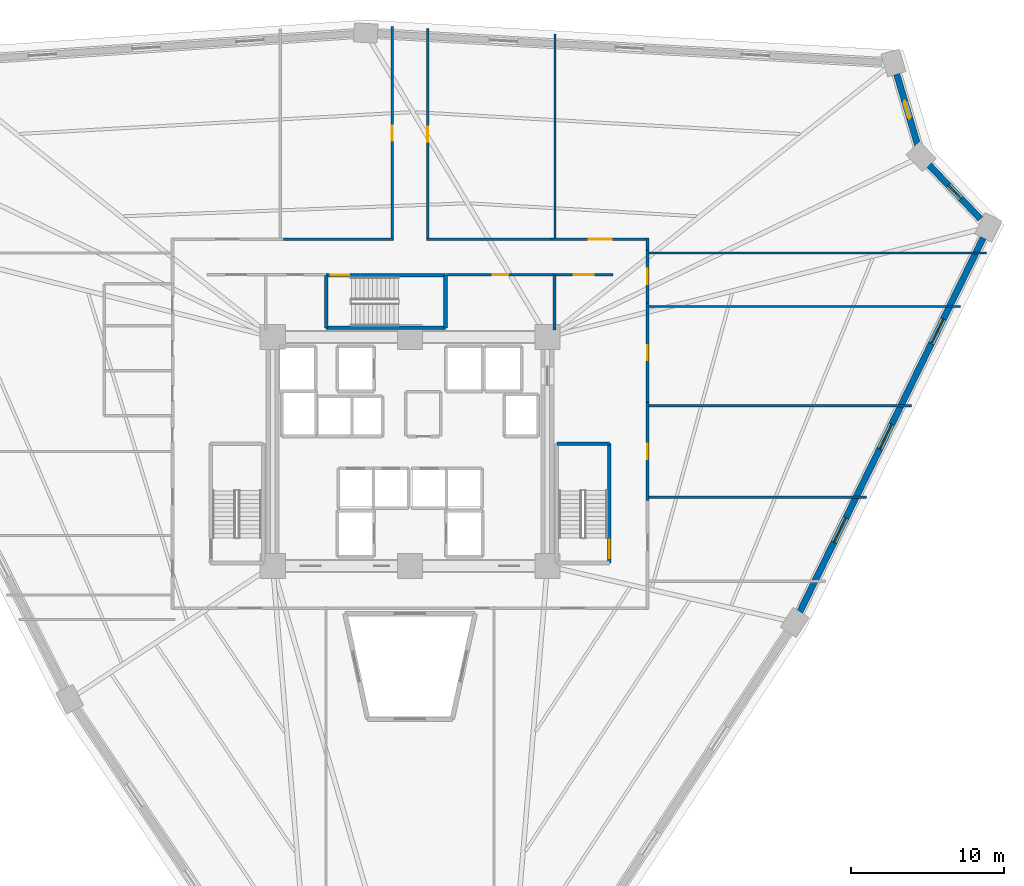
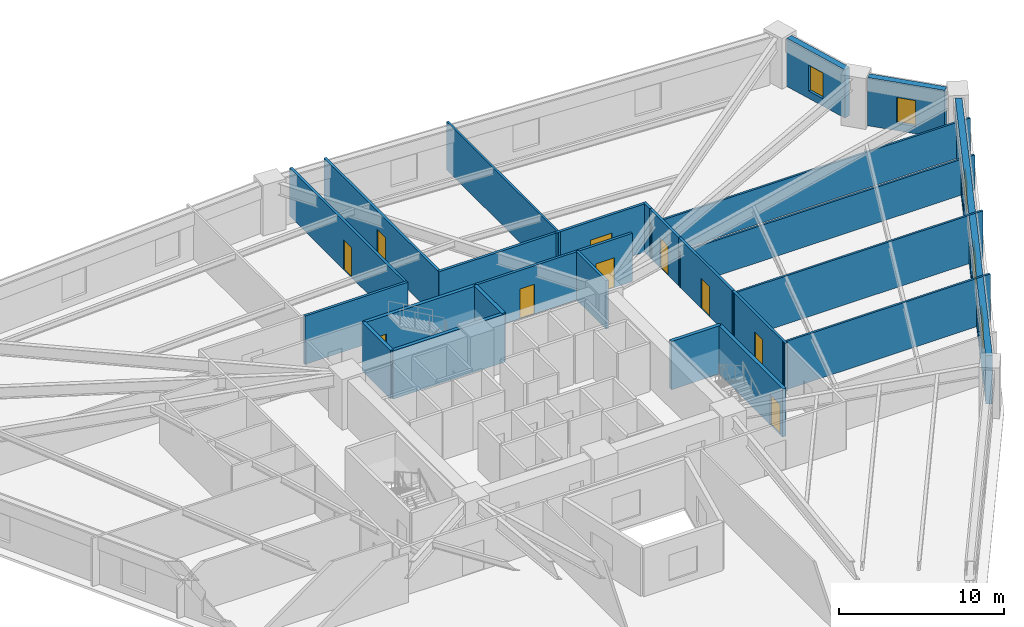
# One storey, part 6 of 8: 26 walls, 10 doors, 5 windows, 15 openings.
"""IFC4 building model written with IfcOpenShell, lengths in metres."""

import ifcopenshell
import ifcopenshell.guid

model = None  # the IFC model being written
_history = None  # IfcOwnerHistory: only IFC2X3 demands one
_inside = {}  # id of a spatial element -> (the spatial element, [elements in it])
_under = {}  # id of a project, library or spatial element -> (it, [spatial elements below it])
_declared = {}  # id of a project -> (the project, [libraries it declares])
_typed = {}  # id of a type object -> (the type object, [elements of that type])
_made_of = {}  # id of a material, layer set ... -> (it, [elements and type objects made of it])


def new_model(schema):
    """Start an empty IFC model of exactly this schema.

    Asked for "IFC4X3", IfcOpenShell would pick the latest addendum, in which some entities
    have other attributes; the version numbers below select the first issue.
    IFC2X3 requires an IfcOwnerHistory on every rooted entity: one is made here for all.
    """
    global model, _history
    if schema == "IFC4X3":
        model = ifcopenshell.file(schema_version=(4, 3, 0, 0))
    else:
        model = ifcopenshell.file(schema=schema)
    _inside.clear()
    _under.clear()
    _declared.clear()
    _typed.clear()
    _made_of.clear()
    _history = None
    if model.schema == "IFC2X3":
        org = make("IfcOrganization", Name="unknown")
        user = make(
            "IfcPersonAndOrganization",
            ThePerson=make("IfcPerson", FamilyName="unknown"),
            TheOrganization=org,
        )
        app = make(
            "IfcApplication",
            ApplicationDeveloper=org,
            Version="unknown",
            ApplicationFullName="unknown",
            ApplicationIdentifier="unknown",
        )
        _history = make(
            "IfcOwnerHistory",
            OwningUser=user,
            OwningApplication=app,
            ChangeAction="ADDED",
            CreationDate=0,
        )
    return model


def make(cls, **values):
    """One entity of the class cls with the attributes given. An attribute that is None is left unset."""
    return model.create_entity(
        cls, **{name: value for name, value in values.items() if value is not None}
    )


def rooted(cls, **values):
    """An entity with a GlobalId (a new one), such as an element, a storey or a relation."""
    return make(cls, GlobalId=ifcopenshell.guid.new(), OwnerHistory=_history, **values)


def si_unit(unit_type, name, prefix=None):
    """IfcSIUnit, for example si_unit("LENGTHUNIT", "METRE", prefix="MILLI")."""
    return make("IfcSIUnit", UnitType=unit_type, Prefix=prefix, Name=name)


def assignment(units):
    """IfcUnitAssignment: the units of a project."""
    return None if units is None else make("IfcUnitAssignment", Units=units)


def point(xyz):
    """IfcCartesianPoint."""
    return None if xyz is None else make("IfcCartesianPoint", Coordinates=xyz)


def direction(xyz):
    """IfcDirection."""
    return None if xyz is None else make("IfcDirection", DirectionRatios=xyz)


def frame(location, z_axis=None, x_axis=None):
    """IfcAxis2Placement3D, a coordinate frame: its origin and axes. An axis left out is left unset."""
    return make(
        "IfcAxis2Placement3D",
        Location=point(location),
        Axis=direction(z_axis),
        RefDirection=direction(x_axis),
    )


def frame_2d(location, x_axis=None):
    """IfcAxis2Placement2D, a coordinate frame in the plane: its origin and x axis."""
    return make(
        "IfcAxis2Placement2D", Location=point(location), RefDirection=direction(x_axis)
    )


def origin():
    """The frame at (0, 0, 0) with its axes left unset."""
    return frame((0.0, 0.0, 0.0))


def place(relative_to, where):
    """IfcLocalPlacement: puts the frame where relative to a parent placement (None: the world)."""
    return make(
        "IfcLocalPlacement", PlacementRelTo=relative_to, RelativePlacement=where
    )


def context(
    kind, dimensions, precision=None, world=None, true_north=None, identifier=None
):
    """IfcGeometricRepresentationContext, for example the 3D "Model" context."""
    return make(
        "IfcGeometricRepresentationContext",
        ContextIdentifier=identifier,
        ContextType=kind,
        CoordinateSpaceDimension=dimensions,
        Precision=precision,
        WorldCoordinateSystem=world,
        TrueNorth=true_north,
    )


def subcontext(parent, identifier, kind, view, scale=None):
    """IfcGeometricRepresentationSubContext, for example "Body" below "Model"."""
    return make(
        "IfcGeometricRepresentationSubContext",
        ContextIdentifier=identifier,
        ContextType=kind,
        ParentContext=parent,
        TargetScale=scale,
        TargetView=view,
    )


def project(units=None, contexts=None):
    """IfcProject with its units and contexts."""
    return rooted(
        "IfcProject",
        Name="project",
        RepresentationContexts=contexts,
        UnitsInContext=assignment(units),
    )


def spatial(cls, under=None, at=None, **own):
    """A site, building, storey or space (cls), placed at a placement, below another one or the project."""
    s = rooted(cls, ObjectPlacement=at, **own)
    if under is not None:
        _under.setdefault(under.id(), (under, []))[1].append(s)
    return s


def profile(cls, at=None, kind="AREA", **sizes):
    """A parametric profile (cls). Its sizes go by their IFC names, for example OverallWidth=200.0."""
    return make(cls, ProfileType=kind, Position=at, **sizes)


def rectangle(**sizes):
    """IfcRectangleProfileDef."""
    return profile("IfcRectangleProfileDef", **sizes)


def extrude(swept, where, along, depth):
    """IfcExtrudedAreaSolid: the profile swept, set in the frame where, extruded along a direction by depth."""
    return make(
        "IfcExtrudedAreaSolid",
        SweptArea=swept,
        Position=where,
        ExtrudedDirection=direction(along),
        Depth=depth,
    )


def shape(context_of_items, identifier, shape_type, items):
    """IfcShapeRepresentation: the items that make up one representation, for example the "Body"."""
    return make(
        "IfcShapeRepresentation",
        ContextOfItems=context_of_items,
        RepresentationIdentifier=identifier,
        RepresentationType=shape_type,
        Items=items,
    )


def source(mapping_origin, context_of_items, identifier, shape_type, items):
    """IfcRepresentationMap: a shape defined once, which mapped items show again and again."""
    return make(
        "IfcRepresentationMap",
        MappingOrigin=mapping_origin,
        MappedRepresentation=shape(context_of_items, identifier, shape_type, items),
    )


def transform(
    local_origin,
    x_axis=None,
    y_axis=None,
    z_axis=None,
    scale=None,
    scale2=None,
    scale3=None,
    uniform=True,
):
    """IfcCartesianTransformationOperator3D, or its non-uniform kind. x_axis, y_axis, z_axis: its Axis1, 2, 3."""
    if uniform:
        return make(
            "IfcCartesianTransformationOperator3D",
            Axis1=direction(x_axis),
            Axis2=direction(y_axis),
            LocalOrigin=point(local_origin),
            Scale=scale,
            Axis3=direction(z_axis),
        )
    return make(
        "IfcCartesianTransformationOperator3DnonUniform",
        Axis1=direction(x_axis),
        Axis2=direction(y_axis),
        LocalOrigin=point(local_origin),
        Scale=scale,
        Axis3=direction(z_axis),
        Scale2=scale2,
        Scale3=scale3,
    )


def mapped(mapping_source, mapping_target):
    """IfcMappedItem: shows the shape of a source again, moved by a transform."""
    return make(
        "IfcMappedItem", MappingSource=mapping_source, MappingTarget=mapping_target
    )


def material(Name=None, Category=None):
    """IfcMaterial."""
    return make("IfcMaterial", Name=Name, Category=Category)


def layer(
    of_material, thickness, ventilated=None, Name=None, Category=None, Priority=None
):
    """IfcMaterialLayer: one layer of a wall or slab, of a material (None: an air gap)."""
    return make(
        "IfcMaterialLayer",
        Material=of_material,
        LayerThickness=thickness,
        IsVentilated=ventilated,
        Name=Name,
        Category=Category,
        Priority=Priority,
    )


def layer_set(layers, Name=None):
    """IfcMaterialLayerSet."""
    return make("IfcMaterialLayerSet", MaterialLayers=layers, LayerSetName=Name)


def made_of(thing, what):
    """Note that an element or type object is made of a material, layer set ...; save() writes the relation."""
    if what is not None:
        _made_of.setdefault(what.id(), (what, []))[1].append(thing)
    return thing


def type_object(cls, material=None, **own):
    """A type object (cls), such as IfcWallType, which elements share."""
    return made_of(rooted(cls, **own), material)


def element(
    cls,
    number,
    at=None,
    inside=None,
    cuts=None,
    type_object=None,
    material=None,
    context=None,
    identifier="Body",
    shape_type=None,
    held_by="IfcProductDefinitionShape",
    body=None,
    shapes=None,
    **own,
):
    """One element of the class cls, such as IfcWall. Its Tag is "e" and its number.

    at: its placement. inside: the storey or other place that contains it. cuts: it is an
    opening in that element (IfcRelVoidsElement). A single representation is given by context,
    identifier, shape_type and body (its items); several are given by shapes. held_by: the class
    of the entity that holds the representations. save() writes the other relations.
    """
    e = rooted(cls, Tag="e%d" % number, ObjectPlacement=at, **own)
    if body is not None:
        shapes = [shape(context, identifier, shape_type, body)]
    if shapes is not None:
        e.Representation = make(held_by, Representations=shapes)
    if inside is not None:
        _inside.setdefault(inside.id(), (inside, []))[1].append(e)
    if cuts is not None:
        rooted(
            "IfcRelVoidsElement", RelatingBuildingElement=cuts, RelatedOpeningElement=e
        )
    if type_object is not None:
        _typed.setdefault(type_object.id(), (type_object, []))[1].append(e)
    return made_of(e, material)


def fill(opening, filler):
    """IfcRelFillsElement: the door or window that sits in an opening."""
    return rooted(
        "IfcRelFillsElement",
        RelatingOpeningElement=opening,
        RelatedBuildingElement=filler,
    )


def aggregate(whole, parts):
    """IfcRelAggregates: a whole, such as a stair, and the parts it consists of."""
    return rooted("IfcRelAggregates", RelatingObject=whole, RelatedObjects=parts)


def save(model, path):
    """Write the relations noted so far, then the file.

    IfcRelAggregates (storeys below a building ...), IfcRelContainedInSpatialStructure (elements
    in a storey), IfcRelDefinesByType, IfcRelAssociatesMaterial and IfcRelDeclares: one each for
    every whole, place, type object, material and project.
    """
    for whole, parts in _under.values():
        aggregate(whole, parts)
    for where, things in _inside.values():
        rooted(
            "IfcRelContainedInSpatialStructure",
            RelatedElements=things,
            RelatingStructure=where,
        )
    for kind, things in _typed.values():
        rooted("IfcRelDefinesByType", RelatedObjects=things, RelatingType=kind)
    for what, things in _made_of.values():
        rooted("IfcRelAssociatesMaterial", RelatedObjects=things, RelatingMaterial=what)
    for by, libraries in _declared.values():
        rooted("IfcRelDeclares", RelatingContext=by, RelatedDefinitions=libraries)
    model.write(path)


model = new_model("IFC4")

# Units and contexts
model_context = context("Model", 3, precision=1e-05, world=origin(), true_north=direction((0.0, 1.0)))
body_context = subcontext(model_context, "Body", "Model", "MODEL_VIEW")
ifc_project = project(units=[si_unit("LENGTHUNIT", "METRE"), si_unit("AREAUNIT", "SQUARE_METRE"), si_unit("VOLUMEUNIT", "CUBIC_METRE"), si_unit("PLANEANGLEUNIT", "RADIAN"), si_unit("MASSUNIT", "GRAM", prefix="KILO")], contexts=[model_context])

# Site, building, storey
site_placement = place(None, origin())
site = spatial("IfcSite", under=ifc_project, at=site_placement, CompositionType="ELEMENT")
building_placement = place(site_placement, origin())
building = spatial("IfcBuilding", under=site, at=building_placement, Name="Liaohun Quay Tower", CompositionType="ELEMENT")
storey_placement = place(building_placement, frame((0.0, 0.0, 78.0)))
storey = spatial("IfcBuildingStorey", under=building, at=storey_placement, Name="L20", CompositionType="ELEMENT", Elevation=78.0)

# Wall, openings, windows
ifc_material_1 = material(Name="Precast concrete C50 insulated sandwich", Category="concrete")
ifc_layer_1 = layer(ifc_material_1, 0.419921875, Name="Precast concrete C50 insulated sandwich", Category="concrete")
ifc_layer_set_1 = layer_set([ifc_layer_1], Name="Precast concrete C50 insulated sandwich")
wall_type_1 = type_object("IfcWallType", Name="WAL-EXT-Z12", PredefinedType="SOLIDWALL", material=ifc_layer_set_1)
wall_1_placement = place(storey_placement, frame((85.532958984375, 43.492919921875, 0.0), z_axis=(0.0, 0.0, 1.0), x_axis=(0.440255770672, 0.897872405406, 0.0)))
wall_1 = element("IfcWall", 1, at=wall_1_placement, inside=storey, type_object=wall_type_1, Name="L20 Brutalist Precast Pier Wall 03", PredefinedType="SOLIDWALL", context=body_context, shape_type="SweptSolid", body=[
    extrude(rectangle(XDim=27.295654296875, YDim=0.419921875, at=frame_2d((13.64794921875, 0.0))), origin(), (0.0, 0.0, 1.0), 3.570068359375),
])
shared_shape_1 = source(origin(), body_context, "Body", "SweptSolid", [
    extrude(rectangle(XDim=1.800048828125, YDim=1.949951171875, at=frame_2d((0.89990234375, 0.97509765625))), frame((0.0, 0.219970703125, 0.0), z_axis=(0.0, -1.0, 0.0), x_axis=(1.0, 0.0, 0.0)), (0.0, 0.0, 1.0), 0.43994140625),
])
opening_1_placement = place(wall_1_placement, frame((5.073974609375, 0.0, 0.550048828125)))
opening_1 = element("IfcOpeningElement", 2, at=opening_1_placement, cuts=wall_1, Name="Opening W01", PredefinedType="OPENING", context=body_context, shape_type="MappedRepresentation", body=[
    mapped(shared_shape_1, transform((0.0, 0.0, 0.0), x_axis=(1.0, 0.0, 0.0), y_axis=(0.0, 1.0, 0.0), z_axis=(0.0, 0.0, 1.0), scale=1.0)),
])
opening_2_placement = place(wall_1_placement, frame((11.89794921875, 0.0, 0.550048828125)))
opening_2 = element("IfcOpeningElement", 3, at=opening_2_placement, cuts=wall_1, Name="Opening W01", PredefinedType="OPENING", context=body_context, shape_type="MappedRepresentation", body=[
    mapped(shared_shape_1, transform((0.0, 0.0, 0.0), x_axis=(1.0, 0.0, 0.0), y_axis=(0.0, 1.0, 0.0), z_axis=(0.0, 0.0, 1.0), scale=1.0)),
])
opening_3_placement = place(wall_1_placement, frame((19.572021484375, 0.0, 0.550048828125)))
opening_3 = element("IfcOpeningElement", 4, at=opening_3_placement, cuts=wall_1, Name="Opening W01", PredefinedType="OPENING", context=body_context, shape_type="MappedRepresentation", body=[
    mapped(shared_shape_1, transform((0.0, 0.0, 0.0), x_axis=(1.0, 0.0, 0.0), y_axis=(0.0, 1.0, 0.0), z_axis=(0.0, 0.0, 1.0), scale=1.0)),
])
ifc_material_2 = material(Name="Triple Low-E argon glazing in thermally broken aluminium", Category="aluminium")
window_type_1 = type_object("IfcWindowType", Name="WIN-PUN-Z1", PartitioningType="DOUBLE_PANEL_VERTICAL", PredefinedType="WINDOW", material=ifc_material_2)
shared_shape_2 = source(origin(), body_context, "Body", "SweptSolid", [
    extrude(rectangle(XDim=1.800048828125, YDim=1.949951171875, at=frame_2d((0.89990234375, 0.97509765625))), frame((0.0, 0.030029296875, 0.0), z_axis=(0.0, -1.0, 0.0), x_axis=(1.0, 0.0, 0.0)), (0.0, 0.0, 1.0), 0.06005859375),
])
window_1_placement = place(opening_1_placement, origin())
window_1 = element("IfcWindow", 5, at=window_1_placement, inside=storey, type_object=window_type_1, Name="L20 Recessed Cold-Climate Punched Window 03-1", OverallHeight=1.949951171875, OverallWidth=1.800048828125, PartitioningType="DOUBLE_PANEL_VERTICAL", PredefinedType="WINDOW", context=body_context, shape_type="MappedRepresentation", body=[
    mapped(shared_shape_2, transform((0.0, 0.0, 0.0), x_axis=(1.0, 0.0, 0.0), y_axis=(0.0, 1.0, 0.0), z_axis=(0.0, 0.0, 1.0), scale=1.0)),
])
fill(opening_1, window_1)
window_2_placement = place(opening_2_placement, origin())
window_2 = element("IfcWindow", 6, at=window_2_placement, inside=storey, type_object=window_type_1, Name="L20 Recessed Cold-Climate Punched Window 03-2", OverallHeight=1.949951171875, OverallWidth=1.800048828125, PartitioningType="DOUBLE_PANEL_VERTICAL", PredefinedType="WINDOW", context=body_context, shape_type="MappedRepresentation", body=[
    mapped(shared_shape_2, transform((0.0, 0.0, 0.0), x_axis=(1.0, 0.0, 0.0), y_axis=(0.0, 1.0, 0.0), z_axis=(0.0, 0.0, 1.0), scale=1.0)),
])
fill(opening_2, window_2)
window_3_placement = place(opening_3_placement, origin())
window_3 = element("IfcWindow", 7, at=window_3_placement, inside=storey, type_object=window_type_1, Name="L20 Recessed Cold-Climate Punched Window 03-3", OverallHeight=1.949951171875, OverallWidth=1.800048828125, PartitioningType="DOUBLE_PANEL_VERTICAL", PredefinedType="WINDOW", context=body_context, shape_type="MappedRepresentation", body=[
    mapped(shared_shape_2, transform((0.0, 0.0, 0.0), x_axis=(1.0, 0.0, 0.0), y_axis=(0.0, 1.0, 0.0), z_axis=(0.0, 0.0, 1.0), scale=1.0)),
])
fill(opening_3, window_3)

# Wall, opening, window
wall_2_placement = place(storey_placement, frame((97.360107421875, 69.241943359375, 0.0), z_axis=(0.0, 0.0, 1.0), x_axis=(-0.689353606937, 0.724425016549, 0.0)))
wall_2 = element("IfcWall", 8, at=wall_2_placement, inside=storey, type_object=wall_type_1, Name="L20 Brutalist Precast Pier Wall 04", PredefinedType="SOLIDWALL", context=body_context, shape_type="SweptSolid", body=[
    extrude(rectangle(XDim=4.872802734375, YDim=0.419921875, at=frame_2d((2.4365234375, 0.0))), origin(), (0.0, 0.0, 1.0), 3.570068359375),
])
shared_shape_3 = source(origin(), body_context, "Body", "SweptSolid", [
    extrude(rectangle(XDim=1.199951171875, YDim=1.89990234375, at=frame_2d((0.60009765625, 0.949951171875))), frame((0.0, 0.219970703125, 0.0), z_axis=(0.0, -1.0, 0.0), x_axis=(1.0, 0.0, 0.0)), (0.0, 0.0, 1.0), 0.43994140625),
])
opening_4_placement = place(wall_2_placement, frame((1.8359375, 0.0, 0.550048828125)))
opening_4 = element("IfcOpeningElement", 9, at=opening_4_placement, cuts=wall_2, Name="Opening W05", PredefinedType="OPENING", context=body_context, shape_type="MappedRepresentation", body=[
    mapped(shared_shape_3, transform((0.0, 0.0, 0.0), x_axis=(1.0, 0.0, 0.0), y_axis=(0.0, 1.0, 0.0), z_axis=(0.0, 0.0, 1.0), scale=1.0)),
])
ifc_material_3 = material(Name="Triple Low-E corner notch glazing", Category="glass")
window_type_2 = type_object("IfcWindowType", Name="WIN-NOTCH", PartitioningType="SINGLE_PANEL", PredefinedType="WINDOW", material=ifc_material_3)
shared_shape_4 = source(origin(), body_context, "Body", "SweptSolid", [
    extrude(rectangle(XDim=1.199951171875, YDim=1.89990234375, at=frame_2d((0.60009765625, 0.949951171875))), frame((0.0, 0.030029296875, 0.0), z_axis=(0.0, -1.0, 0.0), x_axis=(1.0, 0.0, 0.0)), (0.0, 0.0, 1.0), 0.06005859375),
])
window_4_placement = place(opening_4_placement, origin())
window_4 = element("IfcWindow", 10, at=window_4_placement, inside=storey, type_object=window_type_2, Name="L20 Corner Notch Window W05-04", OverallHeight=1.89990234375, OverallWidth=1.199951171875, PartitioningType="SINGLE_PANEL", PredefinedType="WINDOW", context=body_context, shape_type="MappedRepresentation", body=[
    mapped(shared_shape_4, transform((0.0, 0.0, 0.0), x_axis=(1.0, 0.0, 0.0), y_axis=(0.0, 1.0, 0.0), z_axis=(0.0, 0.0, 1.0), scale=1.0)),
])
fill(opening_4, window_4)

wall_3_placement = place(storey_placement, frame((93.258056640625, 74.06005859375, 0.0), z_axis=(0.0, 0.0, 1.0), x_axis=(-0.282850961841, 0.959163872019, 0.0)))
wall_3 = element("IfcWall", 11, at=wall_3_placement, inside=storey, type_object=wall_type_1, Name="L20 Brutalist Precast Pier Wall 05", PredefinedType="SOLIDWALL", context=body_context, shape_type="SweptSolid", body=[
    extrude(rectangle(XDim=4.86474609375, YDim=0.419921875, at=frame_2d((2.432373046875, 0.0))), origin(), (0.0, 0.0, 1.0), 3.570068359375),
])
opening_5_placement = place(wall_3_placement, frame((1.83203125, 0.0, 0.550048828125)))
opening_5 = element("IfcOpeningElement", 12, at=opening_5_placement, cuts=wall_3, Name="Opening W05", PredefinedType="OPENING", context=body_context, shape_type="MappedRepresentation", body=[
    mapped(shared_shape_3, transform((0.0, 0.0, 0.0), x_axis=(1.0, 0.0, 0.0), y_axis=(0.0, 1.0, 0.0), z_axis=(0.0, 0.0, 1.0), scale=1.0)),
])
window_5_placement = place(opening_5_placement, origin())
window_5 = element("IfcWindow", 13, at=window_5_placement, inside=storey, type_object=window_type_2, Name="L20 Corner Notch Window W05-05", OverallHeight=1.89990234375, OverallWidth=1.199951171875, PartitioningType="SINGLE_PANEL", PredefinedType="WINDOW", context=body_context, shape_type="MappedRepresentation", body=[
    mapped(shared_shape_4, transform((0.0, 0.0, 0.0), x_axis=(1.0, 0.0, 0.0), y_axis=(0.0, 1.0, 0.0), z_axis=(0.0, 0.0, 1.0), scale=1.0)),
])
fill(opening_5, window_5)

# Wall, opening, door
ifc_material_4 = material(Name="Autoclaved aerated concrete blockwork", Category="masonry")
ifc_layer_2 = layer(ifc_material_4, 0.179931640625, Name="Autoclaved aerated concrete blockwork", Category="masonry")
ifc_layer_set_2 = layer_set([ifc_layer_2], Name="Autoclaved aerated concrete blockwork")
wall_type_2 = type_object("IfcWallType", Name="WAL-PRT-COR", PredefinedType="PARTITIONING", material=ifc_layer_set_2)
wall_4_placement = place(storey_placement, frame((62.389892578125, 65.580078125, 0.0), z_axis=(0.0, 0.0, 1.0), x_axis=(1.0, 0.0, 0.0)))
wall_4 = element("IfcWall", 14, at=wall_4_placement, inside=storey, type_object=wall_type_2, Name="L20 Interior Partition Wall 006", PredefinedType="PARTITIONING", context=body_context, shape_type="SweptSolid", body=[
    extrude(rectangle(XDim=7.070068359375, YDim=0.179931640625, at=frame_2d((3.53515625, 0.0))), origin(), (0.0, 0.0, 1.0), 3.570068359375),
])
shared_shape_5 = source(origin(), body_context, "Body", "SweptSolid", [
    extrude(rectangle(XDim=1.0, YDim=2.199951171875, at=frame_2d((0.5, 1.10009765625))), frame((0.0, 0.099853515625, 0.0), z_axis=(0.0, -1.0, 0.0), x_axis=(1.0, 0.0, 0.0)), (0.0, 0.0, 1.0), 0.199951171875),
])
opening_6_placement = place(wall_4_placement, frame((3.034912109375, 0.0, 0.0)))
opening_6 = element("IfcOpeningElement", 15, at=opening_6_placement, cuts=wall_4, Name="Opening OD1", PredefinedType="OPENING", context=body_context, shape_type="MappedRepresentation", body=[
    mapped(shared_shape_5, transform((0.0, 0.0, 0.0), x_axis=(1.0, 0.0, 0.0), y_axis=(0.0, 1.0, 0.0), z_axis=(0.0, 0.0, 1.0), scale=1.0)),
])
ifc_material_5 = material(Name="Solid-core oak veneer timber leaf in steel frame", Category="steel")
door_type_1 = type_object("IfcDoorType", Name="DOR-OFF-1000", OperationType="NOTDEFINED", PredefinedType="DOOR", material=ifc_material_5)
shared_shape_6 = source(origin(), body_context, "Body", "SweptSolid", [
    extrude(rectangle(XDim=1.0, YDim=2.199951171875, at=frame_2d((0.5, 1.10009765625))), frame((0.0, 0.02490234375, 0.0), z_axis=(0.0, -1.0, 0.0), x_axis=(1.0, 0.0, 0.0)), (0.0, 0.0, 1.0), 0.050048828125),
])
door_1_placement = place(opening_6_placement, origin())
door_1 = element("IfcDoor", 16, at=door_1_placement, inside=storey, type_object=door_type_1, Name="L20 North-East Archive and Mail Room Door", OperationType="SINGLE_SWING_RIGHT", OverallHeight=2.199951171875, OverallWidth=1.0, PredefinedType="DOOR", context=body_context, shape_type="MappedRepresentation", body=[
    mapped(shared_shape_6, transform((0.0, 0.0, 0.0), x_axis=(1.0, 0.0, 0.0), y_axis=(0.0, 1.0, 0.0), z_axis=(0.0, 0.0, 1.0), scale=1.0)),
])
fill(opening_6, door_1)

wall_5_placement = place(storey_placement, frame((69.4599609375, 65.580078125, 0.0), z_axis=(0.0, 0.0, 1.0), x_axis=(1.0, 0.0, 0.0)))
wall_5 = element("IfcWall", 17, at=wall_5_placement, inside=storey, type_object=wall_type_2, Name="L20 Interior Partition Wall 008", PredefinedType="PARTITIONING", context=body_context, shape_type="SweptSolid", body=[
    extrude(rectangle(XDim=3.840087890625, YDim=0.179931640625, at=frame_2d((1.919921875, 0.0))), origin(), (0.0, 0.0, 1.0), 3.570068359375),
])
shared_shape_7 = source(origin(), body_context, "Body", "SweptSolid", [
    extrude(rectangle(XDim=1.300048828125, YDim=2.199951171875, at=frame_2d((0.64990234375, 1.10009765625))), frame((0.0, 0.099853515625, 0.0), z_axis=(0.0, -1.0, 0.0), x_axis=(1.0, 0.0, 0.0)), (0.0, 0.0, 1.0), 0.199951171875),
])
opening_7_placement = place(wall_5_placement, frame((1.27001953125, 0.0, 0.0)))
opening_7 = element("IfcOpeningElement", 18, at=opening_7_placement, cuts=wall_5, Name="Opening FD1", PredefinedType="OPENING", context=body_context, shape_type="MappedRepresentation", body=[
    mapped(shared_shape_7, transform((0.0, 0.0, 0.0), x_axis=(1.0, 0.0, 0.0), y_axis=(0.0, 1.0, 0.0), z_axis=(0.0, 0.0, 1.0), scale=1.0)),
])
ifc_material_6 = material(Name="Galvanised steel smokeproof fire door", Category="steel")
door_type_2 = type_object("IfcDoorType", Name="DOR-FFL-1300", OperationType="NOTDEFINED", PredefinedType="DOOR", material=ifc_material_6)
shared_shape_8 = source(origin(), body_context, "Body", "SweptSolid", [
    extrude(rectangle(XDim=1.300048828125, YDim=2.199951171875, at=frame_2d((0.64990234375, 1.10009765625))), frame((0.0, 0.02490234375, 0.0), z_axis=(0.0, -1.0, 0.0), x_axis=(1.0, 0.0, 0.0)), (0.0, 0.0, 1.0), 0.050048828125),
])
door_2_placement = place(opening_7_placement, origin())
door_2 = element("IfcDoor", 19, at=door_2_placement, inside=storey, type_object=door_type_2, Name="L20 East Core Vestibule Door", OperationType="SINGLE_SWING_RIGHT", OverallHeight=2.199951171875, OverallWidth=1.300048828125, PredefinedType="DOOR", context=body_context, shape_type="MappedRepresentation", body=[
    mapped(shared_shape_8, transform((0.0, 0.0, 0.0), x_axis=(1.0, 0.0, 0.0), y_axis=(0.0, 1.0, 0.0), z_axis=(0.0, 0.0, 1.0), scale=1.0)),
])
fill(opening_7, door_2)

wall_6_placement = place(storey_placement, frame((75.56005859375, 57.215087890625, 0.0), z_axis=(0.0, 0.0, 1.0), x_axis=(0.0, -1.0, 0.0)))
wall_6 = element("IfcWall", 20, at=wall_6_placement, inside=storey, type_object=wall_type_2, Name="L20 Interior Partition Wall 009", PredefinedType="PARTITIONING", context=body_context, shape_type="SweptSolid", body=[
    extrude(rectangle(XDim=6.43017578125, YDim=0.179931640625, at=frame_2d((3.215087890625, 0.0))), origin(), (0.0, 0.0, 1.0), 3.570068359375),
])
opening_8_placement = place(wall_6_placement, frame((2.715087890625, 0.0, 0.0)))
opening_8 = element("IfcOpeningElement", 21, at=opening_8_placement, cuts=wall_6, Name="Opening OD1", PredefinedType="OPENING", context=body_context, shape_type="MappedRepresentation", body=[
    mapped(shared_shape_5, transform((0.0, 0.0, 0.0), x_axis=(1.0, 0.0, 0.0), y_axis=(0.0, 1.0, 0.0), z_axis=(0.0, 0.0, 1.0), scale=1.0)),
])
door_3_placement = place(opening_8_placement, origin())
door_3 = element("IfcDoor", 22, at=door_3_placement, inside=storey, type_object=door_type_1, Name="L20 Architectural Design Studio 01 Door", OperationType="SINGLE_SWING_LEFT", OverallHeight=2.199951171875, OverallWidth=1.0, PredefinedType="DOOR", context=body_context, shape_type="MappedRepresentation", body=[
    mapped(shared_shape_6, transform((0.0, 0.0, 0.0), x_axis=(1.0, 0.0, 0.0), y_axis=(0.0, 1.0, 0.0), z_axis=(0.0, 0.0, 1.0), scale=1.0)),
])
fill(opening_8, door_3)

wall_7_placement = place(storey_placement, frame((75.56005859375, 63.715087890625, 0.0), z_axis=(0.0, 0.0, 1.0), x_axis=(0.0, -1.0, 0.0)))
wall_7 = element("IfcWall", 23, at=wall_7_placement, inside=storey, type_object=wall_type_2, Name="L20 Interior Partition Wall 010", PredefinedType="PARTITIONING", context=body_context, shape_type="SweptSolid", body=[
    extrude(rectangle(XDim=6.5, YDim=0.179931640625, at=frame_2d((3.25, 0.0))), origin(), (0.0, 0.0, 1.0), 3.570068359375),
])
opening_9_placement = place(wall_7_placement, frame((2.75, 0.0, 0.0)))
opening_9 = element("IfcOpeningElement", 24, at=opening_9_placement, cuts=wall_7, Name="Opening OD1", PredefinedType="OPENING", context=body_context, shape_type="MappedRepresentation", body=[
    mapped(shared_shape_5, transform((0.0, 0.0, 0.0), x_axis=(1.0, 0.0, 0.0), y_axis=(0.0, 1.0, 0.0), z_axis=(0.0, 0.0, 1.0), scale=1.0)),
])
door_4_placement = place(opening_9_placement, origin())
door_4 = element("IfcDoor", 25, at=door_4_placement, inside=storey, type_object=door_type_1, Name="L20 Occupational Wellness Clinic 02 Door", OperationType="SINGLE_SWING_RIGHT", OverallHeight=2.199951171875, OverallWidth=1.0, PredefinedType="DOOR", context=body_context, shape_type="MappedRepresentation", body=[
    mapped(shared_shape_6, transform((0.0, 0.0, 0.0), x_axis=(1.0, 0.0, 0.0), y_axis=(0.0, 1.0, 0.0), z_axis=(0.0, 0.0, 1.0), scale=1.0)),
])
fill(opening_9, door_4)

wall_8_placement = place(storey_placement, frame((75.56005859375, 67.215087890625, 0.0), z_axis=(0.0, 0.0, 1.0), x_axis=(0.0, -1.0, 0.0)))
wall_8 = element("IfcWall", 26, at=wall_8_placement, inside=storey, type_object=wall_type_2, Name="L20 Interior Partition Wall 011", PredefinedType="PARTITIONING", context=body_context, shape_type="SweptSolid", body=[
    extrude(rectangle(XDim=3.5, YDim=0.179931640625, at=frame_2d((1.75, 0.0))), origin(), (0.0, 0.0, 1.0), 3.570068359375),
])
opening_10_placement = place(wall_8_placement, frame((1.25, 0.0, 0.0)))
opening_10 = element("IfcOpeningElement", 27, at=opening_10_placement, cuts=wall_8, Name="Opening OD1", PredefinedType="OPENING", context=body_context, shape_type="MappedRepresentation", body=[
    mapped(shared_shape_5, transform((0.0, 0.0, 0.0), x_axis=(1.0, 0.0, 0.0), y_axis=(0.0, 1.0, 0.0), z_axis=(0.0, 0.0, 1.0), scale=1.0)),
])
door_5_placement = place(opening_10_placement, origin())
door_5 = element("IfcDoor", 28, at=door_5_placement, inside=storey, type_object=door_type_1, Name="L20 Architectural Design Studio 03 Door", OperationType="SINGLE_SWING_LEFT", OverallHeight=2.199951171875, OverallWidth=1.0, PredefinedType="DOOR", context=body_context, shape_type="MappedRepresentation", body=[
    mapped(shared_shape_6, transform((0.0, 0.0, 0.0), x_axis=(1.0, 0.0, 0.0), y_axis=(0.0, 1.0, 0.0), z_axis=(0.0, 0.0, 1.0), scale=1.0)),
])
fill(opening_10, door_5)

wall_9_placement = place(storey_placement, frame((69.284912109375, 67.909912109375, 0.0), z_axis=(0.0, 0.0, 1.0), x_axis=(1.0, 0.0, 0.0)))
wall_9 = element("IfcWall", 29, at=wall_9_placement, inside=storey, type_object=wall_type_2, Name="L20 Interior Partition Wall 012", PredefinedType="PARTITIONING", context=body_context, shape_type="SweptSolid", body=[
    extrude(rectangle(XDim=6.344970703125, YDim=0.179931640625, at=frame_2d((3.17236328125, 0.0))), origin(), (0.0, 0.0, 1.0), 3.570068359375),
])
shared_shape_9 = source(origin(), body_context, "Body", "SweptSolid", [
    extrude(rectangle(XDim=1.5, YDim=2.199951171875, at=frame_2d((0.75, 1.10009765625))), frame((0.0, 0.099853515625, 0.0), z_axis=(0.0, -1.0, 0.0), x_axis=(1.0, 0.0, 0.0)), (0.0, 0.0, 1.0), 0.199951171875),
])
opening_11_placement = place(wall_9_placement, frame((2.422119140625, 0.0, 0.0)))
opening_11 = element("IfcOpeningElement", 30, at=opening_11_placement, cuts=wall_9, Name="Opening OD2", PredefinedType="OPENING", context=body_context, shape_type="MappedRepresentation", body=[
    mapped(shared_shape_9, transform((0.0, 0.0, 0.0), x_axis=(1.0, 0.0, 0.0), y_axis=(0.0, 1.0, 0.0), z_axis=(0.0, 0.0, 1.0), scale=1.0)),
])
ifc_material_7 = material(Name="Acoustic oak veneer double door")
door_type_3 = type_object("IfcDoorType", Name="DOR-OFF-1500", OperationType="DOUBLE_DOOR_SINGLE_SWING", PredefinedType="DOOR", material=ifc_material_7)
shared_shape_10 = source(origin(), body_context, "Body", "SweptSolid", [
    extrude(rectangle(XDim=1.5, YDim=2.199951171875, at=frame_2d((0.75, 1.10009765625))), frame((0.0, 0.02490234375, 0.0), z_axis=(0.0, -1.0, 0.0), x_axis=(1.0, 0.0, 0.0)), (0.0, 0.0, 1.0), 0.050048828125),
])
door_6_placement = place(opening_11_placement, origin())
door_6 = element("IfcDoor", 31, at=door_6_placement, inside=storey, type_object=door_type_3, Name="L20 Project Collaboration Studio 04 Door", OperationType="DOUBLE_DOOR_SINGLE_SWING", OverallHeight=2.199951171875, OverallWidth=1.5, PredefinedType="DOOR", context=body_context, shape_type="MappedRepresentation", body=[
    mapped(shared_shape_10, transform((0.0, 0.0, 0.0), x_axis=(1.0, 0.0, 0.0), y_axis=(0.0, 1.0, 0.0), z_axis=(0.0, 0.0, 1.0), scale=1.0)),
])
fill(opening_11, door_6)

wall_10_placement = place(storey_placement, frame((61.159912109375, 81.72900390625, 0.0), z_axis=(0.0, 0.0, 1.0), x_axis=(0.0, -1.0, 0.0)))
wall_10 = element("IfcWall", 32, at=wall_10_placement, inside=storey, type_object=wall_type_2, Name="L20 Interior Partition Wall 013", PredefinedType="PARTITIONING", context=body_context, shape_type="SweptSolid", body=[
    extrude(rectangle(XDim=13.888916015625, YDim=0.179931640625, at=frame_2d((6.9443359375, 0.0))), origin(), (0.0, 0.0, 1.0), 3.570068359375),
])
opening_12_placement = place(wall_10_placement, frame((6.444091796875, 0.0, 0.0)))
opening_12 = element("IfcOpeningElement", 33, at=opening_12_placement, cuts=wall_10, Name="Opening OD1", PredefinedType="OPENING", context=body_context, shape_type="MappedRepresentation", body=[
    mapped(shared_shape_5, transform((0.0, 0.0, 0.0), x_axis=(1.0, 0.0, 0.0), y_axis=(0.0, 1.0, 0.0), z_axis=(0.0, 0.0, 1.0), scale=1.0)),
])
door_7_placement = place(opening_12_placement, origin())
door_7 = element("IfcDoor", 34, at=door_7_placement, inside=storey, type_object=door_type_1, Name="L20 Occupational Wellness Clinic 05 Door", OperationType="SINGLE_SWING_LEFT", OverallHeight=2.199951171875, OverallWidth=1.0, PredefinedType="DOOR", context=body_context, shape_type="MappedRepresentation", body=[
    mapped(shared_shape_6, transform((0.0, 0.0, 0.0), x_axis=(1.0, 0.0, 0.0), y_axis=(0.0, 1.0, 0.0), z_axis=(0.0, 0.0, 1.0), scale=1.0)),
])
fill(opening_12, door_7)

wall_11_placement = place(storey_placement, frame((58.840087890625, 67.840087890625, 0.0), z_axis=(0.0, 0.0, 1.0), x_axis=(0.0, 1.0, 0.0)))
wall_11 = element("IfcWall", 35, at=wall_11_placement, inside=storey, type_object=wall_type_2, Name="L20 Interior Partition Wall 014", PredefinedType="PARTITIONING", context=body_context, shape_type="SweptSolid", body=[
    extrude(rectangle(XDim=14.02001953125, YDim=0.179931640625, at=frame_2d((7.010009765625, 0.0))), origin(), (0.0, 0.0, 1.0), 3.570068359375),
])
opening_13_placement = place(wall_11_placement, frame((6.510009765625, 0.0, 0.0)))
opening_13 = element("IfcOpeningElement", 36, at=opening_13_placement, cuts=wall_11, Name="Opening OD1", PredefinedType="OPENING", context=body_context, shape_type="MappedRepresentation", body=[
    mapped(shared_shape_5, transform((0.0, 0.0, 0.0), x_axis=(1.0, 0.0, 0.0), y_axis=(0.0, 1.0, 0.0), z_axis=(0.0, 0.0, 1.0), scale=1.0)),
])
door_8_placement = place(opening_13_placement, origin())
door_8 = element("IfcDoor", 37, at=door_8_placement, inside=storey, type_object=door_type_1, Name="L20 Staff Tea Kitchen and Pantry 06 Door", OperationType="SINGLE_SWING_RIGHT", OverallHeight=2.199951171875, OverallWidth=1.0, PredefinedType="DOOR", context=body_context, shape_type="MappedRepresentation", body=[
    mapped(shared_shape_6, transform((0.0, 0.0, 0.0), x_axis=(1.0, 0.0, 0.0), y_axis=(0.0, 1.0, 0.0), z_axis=(0.0, 0.0, 1.0), scale=1.0)),
])
fill(opening_13, door_8)

# Walls
wall_12_placement = place(storey_placement, frame((69.4599609375, 61.949951171875, 0.0), z_axis=(0.0, 0.0, 1.0), x_axis=(0.0, 1.0, 0.0)))
element("IfcWall", 38, at=wall_12_placement, inside=storey, type_object=wall_type_2, Name="L20 Interior Partition Wall 032", PredefinedType="PARTITIONING", context=body_context, shape_type="SweptSolid", body=[
    extrude(rectangle(XDim=3.630126953125, YDim=0.179931640625, at=frame_2d((1.81494140625, 0.0))), origin(), (0.0, 0.0, 1.0), 3.570068359375),
])
wall_13_placement = place(storey_placement, frame((75.56005859375, 67.97998046875, 0.0), z_axis=(0.0, 0.0, 1.0), x_axis=(0.0, -1.0, 0.0)))
element("IfcWall", 39, at=wall_13_placement, inside=storey, type_object=wall_type_2, Name="L20 Interior Partition Wall 033", PredefinedType="PARTITIONING", context=body_context, shape_type="SweptSolid", body=[
    extrude(rectangle(XDim=0.764892578125, YDim=0.179931640625, at=frame_2d((0.38232421875, 0.0))), origin(), (0.0, 0.0, 1.0), 3.570068359375),
])
wall_14_placement = place(storey_placement, frame((61.090087890625, 67.909912109375, 0.0), z_axis=(0.0, 0.0, 1.0), x_axis=(1.0, 0.0, 0.0)))
element("IfcWall", 40, at=wall_14_placement, inside=storey, type_object=wall_type_2, Name="L20 Interior Partition Wall 034", PredefinedType="PARTITIONING", context=body_context, shape_type="SweptSolid", body=[
    extrude(rectangle(XDim=8.19482421875, YDim=0.179931640625, at=frame_2d((4.097412109375, 0.0))), origin(), (0.0, 0.0, 1.0), 3.570068359375),
])
wall_15_placement = place(storey_placement, frame((51.715087890625, 67.909912109375, 0.0), z_axis=(0.0, 0.0, 1.0), x_axis=(1.0, 0.0, 0.0)))
element("IfcWall", 41, at=wall_15_placement, inside=storey, type_object=wall_type_2, Name="L20 Interior Partition Wall 035", PredefinedType="PARTITIONING", context=body_context, shape_type="SweptSolid", body=[
    extrude(rectangle(XDim=7.19482421875, YDim=0.179931640625, at=frame_2d((3.597412109375, 0.0))), origin(), (0.0, 0.0, 1.0), 3.570068359375),
])
ifc_material_8 = material(Name="Gypsum board on twin steel studs", Category="steel")
ifc_layer_3 = layer(ifc_material_8, 0.139892578125, Name="Gypsum board on twin steel studs", Category="steel")
ifc_layer_set_3 = layer_set([ifc_layer_3], Name="Gypsum board on twin steel studs")
wall_type_3 = type_object("IfcWallType", Name="WAL-PRT-OFF", PredefinedType="PARTITIONING", material=ifc_layer_set_3)
wall_16_placement = place(storey_placement, frame((75.4599609375, 51.0, 0.0), z_axis=(0.0, 0.0, 1.0), x_axis=(1.0, 0.0, 0.0)))
element("IfcWall", 42, at=wall_16_placement, inside=storey, type_object=wall_type_3, Name="L20 Interior Partition Wall 046", PredefinedType="PARTITIONING", context=body_context, shape_type="SweptSolid", body=[
    extrude(rectangle(XDim=14.4560546875, YDim=0.139892578125, at=frame_2d((7.22802734375, 0.0))), origin(), (0.0, 0.0, 1.0), 3.570068359375),
])
wall_17_placement = place(storey_placement, frame((75.4599609375, 57.0, 0.0), z_axis=(0.0, 0.0, 1.0), x_axis=(1.0, 0.0, 0.0)))
element("IfcWall", 43, at=wall_17_placement, inside=storey, type_object=wall_type_3, Name="L20 Interior Partition Wall 047", PredefinedType="PARTITIONING", context=body_context, shape_type="SweptSolid", body=[
    extrude(rectangle(XDim=17.39794921875, YDim=0.139892578125, at=frame_2d((8.698974609375, 0.0))), origin(), (0.0, 0.0, 1.0), 3.570068359375),
])
wall_18_placement = place(storey_placement, frame((75.4599609375, 63.5, 0.0), z_axis=(0.0, 0.0, 1.0), x_axis=(1.0, 0.0, 0.0)))
element("IfcWall", 44, at=wall_18_placement, inside=storey, type_object=wall_type_3, Name="L20 Interior Partition Wall 048", PredefinedType="PARTITIONING", context=body_context, shape_type="SweptSolid", body=[
    extrude(rectangle(XDim=20.5849609375, YDim=0.139892578125, at=frame_2d((10.29248046875, 0.0))), origin(), (0.0, 0.0, 1.0), 2.655029296875),
])
wall_19_placement = place(storey_placement, frame((75.4599609375, 67.0, 0.0), z_axis=(0.0, 0.0, 1.0), x_axis=(1.0, 0.0, 0.0)))
element("IfcWall", 45, at=wall_19_placement, inside=storey, type_object=wall_type_3, Name="L20 Interior Partition Wall 049", PredefinedType="PARTITIONING", context=body_context, shape_type="SweptSolid", body=[
    extrude(rectangle(XDim=22.301025390625, YDim=0.139892578125, at=frame_2d((11.150390625, 0.0))), origin(), (0.0, 0.0, 1.0), 2.655029296875),
])
wall_20_placement = place(storey_placement, frame((69.5, 67.81005859375, 0.0), z_axis=(0.0, 0.0, 1.0), x_axis=(0.0, 1.0, 0.0)))
element("IfcWall", 46, at=wall_20_placement, inside=storey, type_object=wall_type_3, Name="L20 Interior Partition Wall 051", PredefinedType="PARTITIONING", context=body_context, shape_type="SweptSolid", body=[
    extrude(rectangle(XDim=13.536865234375, YDim=0.139892578125, at=frame_2d((6.7685546875, 0.0))), origin(), (0.0, 0.0, 1.0), 3.570068359375),
])

# Wall, opening, door
ifc_material_9 = material(Name="Concrete C50", Category="concrete")
ifc_layer_4 = layer(ifc_material_9, 0.239990234375, Name="Concrete C50", Category="concrete")
ifc_layer_set_4 = layer_set([ifc_layer_4], Name="Concrete C50")
wall_type_4 = type_object("IfcWallType", Name="WAL-SHF-200", PredefinedType="SOLIDWALL", material=ifc_layer_set_4)
wall_21_placement = place(storey_placement, frame((73.06005859375, 46.699951171875, 0.0), z_axis=(0.0, 0.0, 1.0), x_axis=(0.0, 1.0, 0.0)))
wall_21 = element("IfcWall", 47, at=wall_21_placement, inside=storey, type_object=wall_type_4, Name="L20 Stairwell ST-2 Structural Core Wall E", PredefinedType="SOLIDWALL", context=body_context, shape_type="SweptSolid", body=[
    extrude(rectangle(XDim=7.820068359375, YDim=0.239990234375, at=frame_2d((3.91015625, 0.0))), origin(), (0.0, 0.0, 1.0), 3.570068359375),
])
shared_shape_11 = source(origin(), body_context, "Body", "SweptSolid", [
    extrude(rectangle(XDim=1.199951171875, YDim=2.199951171875, at=frame_2d((0.60009765625, 1.10009765625))), frame((0.0, 0.1298828125, 0.0), z_axis=(0.0, -1.0, 0.0), x_axis=(1.0, 0.0, 0.0)), (0.0, 0.0, 1.0), 0.260009765625),
])
opening_14_placement = place(wall_21_placement, frame((0.320068359375, 0.0, 0.0)))
opening_14 = element("IfcOpeningElement", 48, at=opening_14_placement, cuts=wall_21, Name="Opening SD1", PredefinedType="OPENING", context=body_context, shape_type="MappedRepresentation", body=[
    mapped(shared_shape_11, transform((0.0, 0.0, 0.0), x_axis=(1.0, 0.0, 0.0), y_axis=(0.0, 1.0, 0.0), z_axis=(0.0, 0.0, 1.0), scale=1.0)),
])
ifc_material_10 = material(Name="Galvanised steel fire door", Category="steel")
door_type_4 = type_object("IfcDoorType", Name="DOR-STR-1200", OperationType="NOTDEFINED", PredefinedType="DOOR", material=ifc_material_10)
shared_shape_12 = source(origin(), body_context, "Body", "SweptSolid", [
    extrude(rectangle(XDim=1.199951171875, YDim=2.199951171875, at=frame_2d((0.60009765625, 1.10009765625))), frame((0.0, 0.02490234375, 0.0), z_axis=(0.0, -1.0, 0.0), x_axis=(1.0, 0.0, 0.0)), (0.0, 0.0, 1.0), 0.050048828125),
])
door_9_placement = place(opening_14_placement, origin())
door_9 = element("IfcDoor", 49, at=door_9_placement, inside=storey, type_object=door_type_4, Name="L20 Protected Stair ST-2 Fire Door", OperationType="SINGLE_SWING_RIGHT", OverallHeight=2.199951171875, OverallWidth=1.199951171875, PredefinedType="DOOR", context=body_context, shape_type="MappedRepresentation", body=[
    mapped(shared_shape_12, transform((0.0, 0.0, 0.0), x_axis=(1.0, 0.0, 0.0), y_axis=(0.0, 1.0, 0.0), z_axis=(0.0, 0.0, 1.0), scale=1.0)),
])
fill(opening_14, door_9)

# Walls
wall_22_placement = place(storey_placement, frame((73.06005859375, 54.52001953125, 0.0), z_axis=(0.0, 0.0, 1.0), x_axis=(-1.0, 0.0, 0.0)))
element("IfcWall", 50, at=wall_22_placement, inside=storey, type_object=wall_type_4, Name="L20 Stairwell ST-2 Structural Core Wall N", PredefinedType="SOLIDWALL", context=body_context, shape_type="SweptSolid", body=[
    extrude(rectangle(XDim=3.43994140625, YDim=0.239990234375, at=frame_2d((1.719970703125, 0.0))), origin(), (0.0, 0.0, 1.0), 3.570068359375),
])
wall_23_placement = place(storey_placement, frame((54.5, 62.10009765625, 0.0), z_axis=(0.0, 0.0, 1.0), x_axis=(1.0, 0.0, 0.0)))
element("IfcWall", 51, at=wall_23_placement, inside=storey, type_object=wall_type_4, Name="L20 Stairwell ST-3 Structural Core Wall S", PredefinedType="SOLIDWALL", context=body_context, shape_type="SweptSolid", body=[
    extrude(rectangle(XDim=7.820068359375, YDim=0.239990234375, at=frame_2d((3.91015625, 0.0))), origin(), (0.0, 0.0, 1.0), 3.570068359375),
])
wall_24_placement = place(storey_placement, frame((62.320068359375, 62.10009765625, 0.0), z_axis=(0.0, 0.0, 1.0), x_axis=(0.0, 1.0, 0.0)))
element("IfcWall", 52, at=wall_24_placement, inside=storey, type_object=wall_type_4, Name="L20 Stairwell ST-3 Structural Core Wall E", PredefinedType="SOLIDWALL", context=body_context, shape_type="SweptSolid", body=[
    extrude(rectangle(XDim=3.43994140625, YDim=0.239990234375, at=frame_2d((1.719970703125, 0.0))), origin(), (0.0, 0.0, 1.0), 3.570068359375),
])

# Wall, opening, door
wall_25_placement = place(storey_placement, frame((62.320068359375, 65.5400390625, 0.0), z_axis=(0.0, 0.0, 1.0), x_axis=(-1.0, 0.0, 0.0)))
wall_25 = element("IfcWall", 53, at=wall_25_placement, inside=storey, type_object=wall_type_4, Name="L20 Stairwell ST-3 Structural Core Wall N", PredefinedType="SOLIDWALL", context=body_context, shape_type="SweptSolid", body=[
    extrude(rectangle(XDim=7.820068359375, YDim=0.239990234375, at=frame_2d((3.91015625, 0.0))), origin(), (0.0, 0.0, 1.0), 3.570068359375),
])
opening_15_placement = place(wall_25_placement, frame((6.300048828125, 0.0, 0.0)))
opening_15 = element("IfcOpeningElement", 54, at=opening_15_placement, cuts=wall_25, Name="Opening SD1", PredefinedType="OPENING", context=body_context, shape_type="MappedRepresentation", body=[
    mapped(shared_shape_11, transform((0.0, 0.0, 0.0), x_axis=(1.0, 0.0, 0.0), y_axis=(0.0, 1.0, 0.0), z_axis=(0.0, 0.0, 1.0), scale=1.0)),
])
door_10_placement = place(opening_15_placement, origin())
door_10 = element("IfcDoor", 55, at=door_10_placement, inside=storey, type_object=door_type_4, Name="L20 Protected Stair ST-3 Fire Door", OperationType="SINGLE_SWING_RIGHT", OverallHeight=2.199951171875, OverallWidth=1.199951171875, PredefinedType="DOOR", context=body_context, shape_type="MappedRepresentation", body=[
    mapped(shared_shape_12, transform((0.0, 0.0, 0.0), x_axis=(1.0, 0.0, 0.0), y_axis=(0.0, 1.0, 0.0), z_axis=(0.0, 0.0, 1.0), scale=1.0)),
])
fill(opening_15, door_10)

# Wall
wall_26_placement = place(storey_placement, frame((54.5, 65.5400390625, 0.0), z_axis=(0.0, 0.0, 1.0), x_axis=(0.0, -1.0, 0.0)))
element("IfcWall", 56, at=wall_26_placement, inside=storey, type_object=wall_type_4, Name="L20 Stairwell ST-3 Structural Core Wall W", PredefinedType="SOLIDWALL", context=body_context, shape_type="SweptSolid", body=[
    extrude(rectangle(XDim=3.43994140625, YDim=0.239990234375, at=frame_2d((1.719970703125, 0.0))), origin(), (0.0, 0.0, 1.0), 3.570068359375),
])

save(model, "model.ifc")
